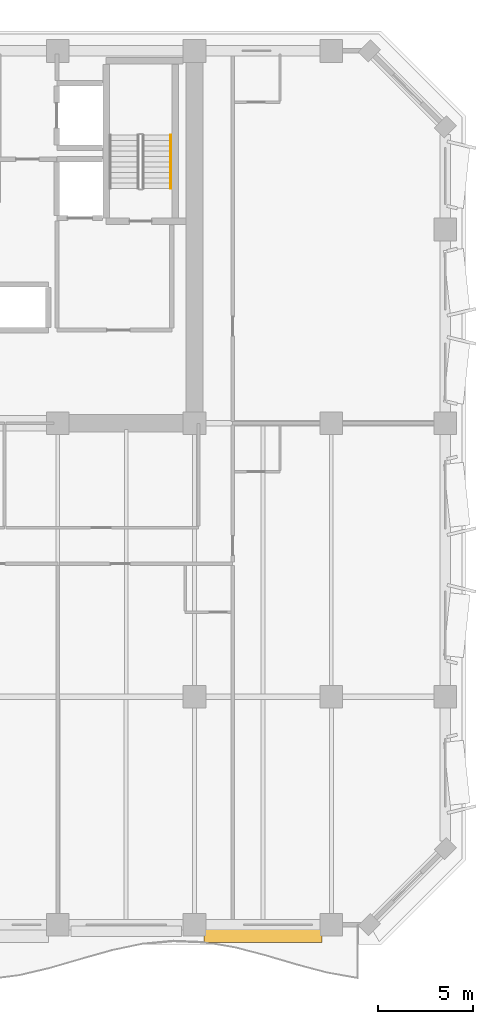
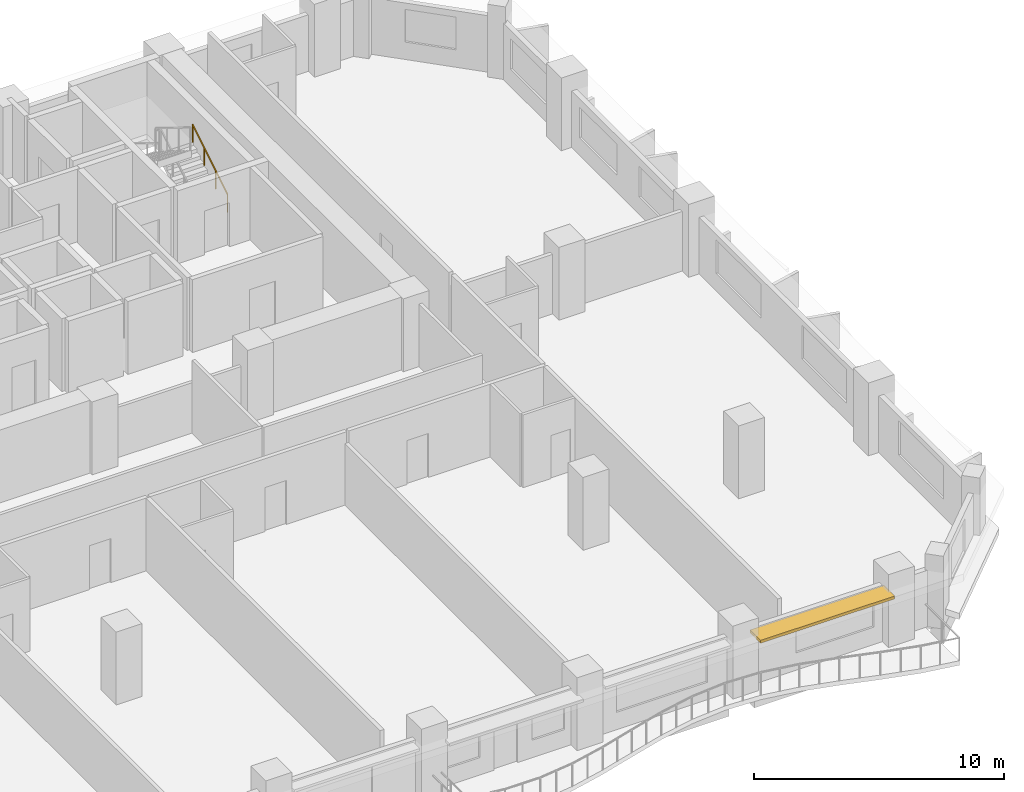
# One storey, part 14 of 14: 1 railing, 1 shading device.
"""IFC4 building model written with IfcOpenShell, lengths in metres."""

from ifc_helpers import new_model, si_unit, direction, frame, origin, origin_2d, place, context, subcontext, project, spatial, rectangle, extrude, material, layer, layer_set, type_object, element, save


model = new_model("IFC4")

# Units and contexts
model_context = context("Model", 3, precision=1e-05, world=origin(), true_north=direction((0.0, 1.0)))
body_context = subcontext(model_context, "Body", "Model", "MODEL_VIEW")
ifc_project = project(units=[si_unit("LENGTHUNIT", "METRE"), si_unit("AREAUNIT", "SQUARE_METRE"), si_unit("VOLUMEUNIT", "CUBIC_METRE"), si_unit("PLANEANGLEUNIT", "RADIAN"), si_unit("MASSUNIT", "GRAM", prefix="KILO")], contexts=[model_context])

# Site, building, storey
site_placement = place(None, origin())
site = spatial("IfcSite", under=ifc_project, at=site_placement, CompositionType="ELEMENT")
building_placement = place(site_placement, origin())
building = spatial("IfcBuilding", under=site, at=building_placement, Name="Kaelvorn Grand Hotel", CompositionType="ELEMENT")
storey_placement = place(building_placement, frame((0.0, 0.0, 190.14990234375)))
storey = spatial("IfcBuildingStorey", under=building, at=storey_placement, Name="L46", CompositionType="ELEMENT", Elevation=190.14990234375)

# Railing
ifc_material_1 = material(Name="Stainless Steel", Category="steel")
railing_type = type_object("IfcRailingType", Name="RL-HANDRAIL-900", PredefinedType="HANDRAIL", material=ifc_material_1)
railing_placement = place(storey_placement, frame((66.550048828125, 41.760009765625, 0.1728515625)))
element("IfcRailing", 1, at=railing_placement, inside=storey, type_object=railing_type, Name="L46 ST3 stair handrail 1", PredefinedType="HANDRAIL", context=body_context, shape_type="SweptSolid", body=[
    extrude(rectangle(XDim=0.048095703125, YDim=0.048095703125, at=origin_2d()), frame((0.0, 0.0, 0.8759765625), z_axis=(0.0, 0.851089632645, 0.525020415988), x_axis=(-1.0, 0.0, 0.0)), (0.0, 0.0, 1.0), 3.2900390625),
    extrude(rectangle(XDim=0.0419921875, YDim=0.0419921875, at=origin_2d()), origin(), (0.0, 0.0, 1.0), 0.851806640625),
    extrude(rectangle(XDim=0.0419921875, YDim=0.0419921875, at=origin_2d()), frame((0.0, 0.933349609375, 0.57568359375)), (0.0, 0.0, 1.0), 0.851806640625),
    extrude(rectangle(XDim=0.0419921875, YDim=0.0419921875, at=origin_2d()), frame((0.0, 1.86669921875, 1.151611328125)), (0.0, 0.0, 1.0), 0.851806640625),
    extrude(rectangle(XDim=0.0419921875, YDim=0.0419921875, at=origin_2d()), frame((0.0, 2.800048828125, 1.727294921875)), (0.0, 0.0, 1.0), 0.851806640625),
])

# Shading device
ifc_material_2 = material(Name="Precast concrete C45/55", Category="concrete")
ifc_layer = layer(ifc_material_2, 0.139892578125)
ifc_layer_set = layer_set([ifc_layer], Name="Precast concrete C45/55")
shading_device_type = type_object("IfcShadingDeviceType", Name="SHD-SUNSHADE-850", PredefinedType="USERDEFINED", material=ifc_layer_set)
shading_device_placement = place(storey_placement, frame((71.39990234375, 2.4951171875, 2.55029296875), z_axis=(0.0, 0.0, 1.0), x_axis=(1.0, 0.0, 0.0)))
element("IfcShadingDevice", 2, at=shading_device_placement, inside=storey, type_object=shading_device_type, Name="L46 Horizontal Concrete Sunshade Band SS-10", ObjectType="SUNSHADE", PredefinedType="USERDEFINED", context=body_context, shape_type="SweptSolid", body=[
    extrude(rectangle(XDim=6.199951171875, YDim=0.85009765625, at=origin_2d()), origin(), (0.0, 0.0, 1.0), 0.139892578125),
])

save(model, "model.ifc")
